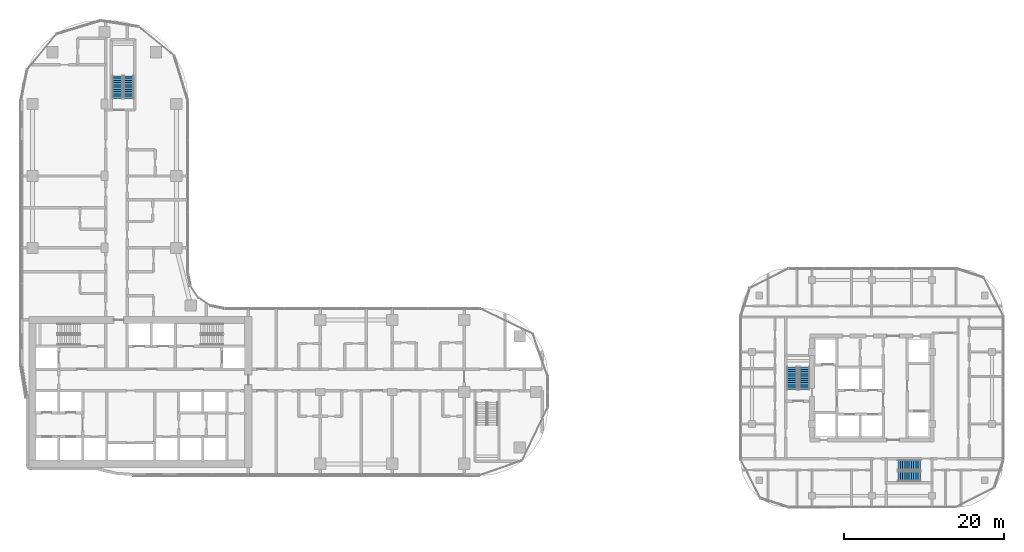
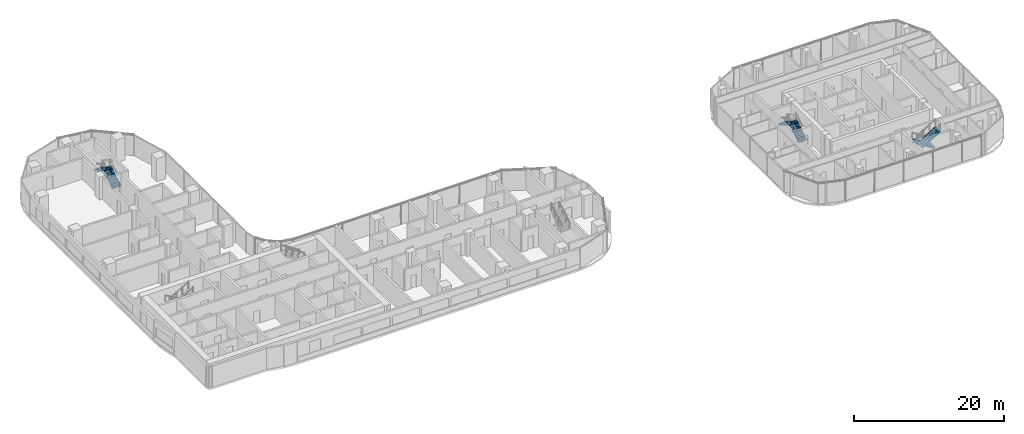
# One storey, part 27 of 33: 6 stair flights, 3 elements without a shape of their own.
"""IFC4 building model written with IfcOpenShell, lengths in metres."""

from ifc_helpers import new_model, si_unit, direction, frame, origin, place, context, subcontext, project, spatial, triangles, source, transform, mapped, material, type_object, element, aggregate, save


model = new_model("IFC4")

# Units and contexts
model_context = context("Model", 3, precision=1e-05, world=origin(), true_north=direction((0.0, 1.0)))
body_context = subcontext(model_context, "Body", "Model", "MODEL_VIEW")
ifc_project = project(units=[si_unit("LENGTHUNIT", "METRE"), si_unit("AREAUNIT", "SQUARE_METRE"), si_unit("VOLUMEUNIT", "CUBIC_METRE"), si_unit("PLANEANGLEUNIT", "RADIAN"), si_unit("MASSUNIT", "GRAM", prefix="KILO")], contexts=[model_context])

# Site, building, storey
site_placement = place(None, origin())
site = spatial("IfcSite", under=ifc_project, at=site_placement, CompositionType="ELEMENT")
building_placement = place(site_placement, origin())
building = spatial("IfcBuilding", under=site, at=building_placement, Name="Ogive Portal Towers", CompositionType="ELEMENT")
storey_placement = place(building_placement, frame((0.0, 0.0, 77.89990234375)))
storey = spatial("IfcBuildingStorey", under=building, at=storey_placement, Name="L18", CompositionType="ELEMENT", Elevation=77.89990234375)

# Stair, stair flights
ifc_material = material(Name="Concrete C40/50", Category="concrete")
stair_type = type_object("IfcStairType", Name="INT-STAIR", PredefinedType="HALF_TURN_STAIR", material=ifc_material)
stair_1_placement = place(storey_placement, origin())
stair_1 = element("IfcStair", 1, at=stair_1_placement, inside=storey, type_object=stair_type, Name="L18 Exit Stair ST-A3", PredefinedType="HALF_TURN_STAIR")
stair_flight_type = type_object("IfcStairFlightType", Name="INT-FLIGHT", PredefinedType="STRAIGHT", material=ifc_material)
shared_shape = source(origin(), body_context, "Body", "Tessellation", [
    triangles([(0.0, -0.650146484375, 0.0), (0.0, -0.376220703125, 0.0), (0.0, -0.192626953125, 0.0), (0.0, -0.081298828125, 0.0), (0.0, -0.024169921875, 0.0), (0.0, -0.003173828125, 0.0), (0.0, 0.0, 0.0), (0.0, 0.0029296875, 0.0), (0.0, 0.02392578125, 0.0), (0.0, 0.0810546875, 0.0), (0.0, 0.1923828125, 0.0), (0.0, 0.3759765625, 0.0), (0.0, 0.64990234375, 0.0), (0.0, -0.650146484375, 0.168212890625), (0.0, -0.376220703125, 0.168212890625), (0.0, -0.192626953125, 0.168212890625), (0.0, -0.081298828125, 0.168212890625), (0.0, -0.024169921875, 0.168212890625), (0.0, -0.003173828125, 0.168212890625), (0.0, 0.0, 0.168212890625), (0.0, 0.0029296875, 0.168212890625), (0.0, 0.02392578125, 0.168212890625), (0.0, 0.0810546875, 0.168212890625), (0.0, 0.1923828125, 0.168212890625), (0.0, 0.3759765625, 0.168212890625), (0.0, 0.64990234375, 0.168212890625), (0.280029296875, -0.650146484375, 0.168212890625), (0.280029296875, -0.376220703125, 0.168212890625), (0.280029296875, -0.192626953125, 0.168212890625), (0.280029296875, -0.081298828125, 0.168212890625), (0.280029296875, -0.024169921875, 0.168212890625), (0.280029296875, -0.003173828125, 0.168212890625), (0.280029296875, 0.0, 0.168212890625), (0.280029296875, 0.0029296875, 0.168212890625), (0.280029296875, 0.02392578125, 0.168212890625), (0.280029296875, 0.0810546875, 0.168212890625), (0.280029296875, 0.1923828125, 0.168212890625), (0.280029296875, 0.3759765625, 0.168212890625), (0.280029296875, 0.64990234375, 0.168212890625), (0.280029296875, -0.650146484375, 0.33642578125), (0.280029296875, -0.376220703125, 0.33642578125), (0.280029296875, -0.192626953125, 0.33642578125), (0.280029296875, -0.081298828125, 0.33642578125), (0.280029296875, -0.024169921875, 0.33642578125), (0.280029296875, -0.003173828125, 0.33642578125), (0.280029296875, 0.0, 0.33642578125), (0.280029296875, 0.0029296875, 0.33642578125), (0.280029296875, 0.02392578125, 0.33642578125), (0.280029296875, 0.0810546875, 0.33642578125), (0.280029296875, 0.1923828125, 0.33642578125), (0.280029296875, 0.3759765625, 0.33642578125), (0.280029296875, 0.64990234375, 0.33642578125), (0.56005859375, -0.650146484375, 0.33642578125), (0.56005859375, -0.376220703125, 0.33642578125), (0.56005859375, -0.192626953125, 0.33642578125), (0.56005859375, -0.081298828125, 0.33642578125), (0.56005859375, -0.024169921875, 0.33642578125), (0.56005859375, -0.003173828125, 0.33642578125), (0.56005859375, 0.0, 0.33642578125), (0.56005859375, 0.0029296875, 0.33642578125), (0.56005859375, 0.02392578125, 0.33642578125), (0.56005859375, 0.0810546875, 0.33642578125), (0.56005859375, 0.1923828125, 0.33642578125), (0.56005859375, 0.3759765625, 0.33642578125), (0.56005859375, 0.64990234375, 0.33642578125), (0.56005859375, -0.650146484375, 0.504638671875), (0.56005859375, -0.376220703125, 0.504638671875), (0.56005859375, -0.192626953125, 0.504638671875), (0.56005859375, -0.081298828125, 0.504638671875), (0.56005859375, -0.024169921875, 0.504638671875), (0.56005859375, -0.003173828125, 0.504638671875), (0.56005859375, 0.0, 0.504638671875), (0.56005859375, 0.0029296875, 0.504638671875), (0.56005859375, 0.02392578125, 0.504638671875), (0.56005859375, 0.0810546875, 0.504638671875), (0.56005859375, 0.1923828125, 0.504638671875), (0.56005859375, 0.3759765625, 0.504638671875), (0.56005859375, 0.64990234375, 0.504638671875), (0.840087890625, -0.650146484375, 0.504638671875), (0.840087890625, -0.376220703125, 0.504638671875), (0.840087890625, -0.192626953125, 0.504638671875), (0.840087890625, -0.081298828125, 0.504638671875), (0.840087890625, -0.024169921875, 0.504638671875), (0.840087890625, -0.003173828125, 0.504638671875), (0.840087890625, 0.0, 0.504638671875), (0.840087890625, 0.0029296875, 0.504638671875), (0.840087890625, 0.02392578125, 0.504638671875), (0.840087890625, 0.0810546875, 0.504638671875), (0.840087890625, 0.1923828125, 0.504638671875), (0.840087890625, 0.3759765625, 0.504638671875), (0.840087890625, 0.64990234375, 0.504638671875), (0.840087890625, -0.650146484375, 0.672607421875), (0.840087890625, -0.376220703125, 0.672607421875), (0.840087890625, -0.192626953125, 0.672607421875), (0.840087890625, -0.081298828125, 0.672607421875), (0.840087890625, -0.024169921875, 0.672607421875), (0.840087890625, -0.003173828125, 0.672607421875), (0.840087890625, 0.0, 0.672607421875), (0.840087890625, 0.0029296875, 0.672607421875), (0.840087890625, 0.02392578125, 0.672607421875), (0.840087890625, 0.0810546875, 0.672607421875), (0.840087890625, 0.1923828125, 0.672607421875), (0.840087890625, 0.3759765625, 0.672607421875), (0.840087890625, 0.64990234375, 0.672607421875), (1.1201171875, -0.650146484375, 0.672607421875), (1.1201171875, -0.376220703125, 0.672607421875), (1.1201171875, -0.192626953125, 0.672607421875), (1.1201171875, -0.081298828125, 0.672607421875), (1.1201171875, -0.024169921875, 0.672607421875), (1.1201171875, -0.003173828125, 0.672607421875), (1.1201171875, 0.0, 0.672607421875), (1.1201171875, 0.0029296875, 0.672607421875), (1.1201171875, 0.02392578125, 0.672607421875), (1.1201171875, 0.0810546875, 0.672607421875), (1.1201171875, 0.1923828125, 0.672607421875), (1.1201171875, 0.3759765625, 0.672607421875), (1.1201171875, 0.64990234375, 0.672607421875), (1.1201171875, -0.650146484375, 0.8408203125), (1.1201171875, -0.376220703125, 0.8408203125), (1.1201171875, -0.192626953125, 0.8408203125), (1.1201171875, -0.081298828125, 0.8408203125), (1.1201171875, -0.024169921875, 0.8408203125), (1.1201171875, -0.003173828125, 0.8408203125), (1.1201171875, 0.0, 0.8408203125), (1.1201171875, 0.0029296875, 0.8408203125), (1.1201171875, 0.02392578125, 0.8408203125), (1.1201171875, 0.0810546875, 0.8408203125), (1.1201171875, 0.1923828125, 0.8408203125), (1.1201171875, 0.3759765625, 0.8408203125), (1.1201171875, 0.64990234375, 0.8408203125), (1.39990234375, -0.650146484375, 0.8408203125), (1.39990234375, -0.376220703125, 0.8408203125), (1.39990234375, -0.192626953125, 0.8408203125), (1.39990234375, -0.081298828125, 0.8408203125), (1.39990234375, -0.024169921875, 0.8408203125), (1.39990234375, -0.003173828125, 0.8408203125), (1.39990234375, 0.0, 0.8408203125), (1.39990234375, 0.0029296875, 0.8408203125), (1.39990234375, 0.02392578125, 0.8408203125), (1.39990234375, 0.0810546875, 0.8408203125), (1.39990234375, 0.1923828125, 0.8408203125), (1.39990234375, 0.3759765625, 0.8408203125), (1.39990234375, 0.64990234375, 0.8408203125), (1.39990234375, -0.650146484375, 1.009033203125), (1.39990234375, -0.376220703125, 1.009033203125), (1.39990234375, -0.192626953125, 1.009033203125), (1.39990234375, -0.081298828125, 1.009033203125), (1.39990234375, -0.024169921875, 1.009033203125), (1.39990234375, -0.003173828125, 1.009033203125), (1.39990234375, 0.0, 1.009033203125), (1.39990234375, 0.0029296875, 1.009033203125), (1.39990234375, 0.02392578125, 1.009033203125), (1.39990234375, 0.0810546875, 1.009033203125), (1.39990234375, 0.1923828125, 1.009033203125), (1.39990234375, 0.3759765625, 1.009033203125), (1.39990234375, 0.64990234375, 1.009033203125), (1.679931640625, -0.650146484375, 1.009033203125), (1.679931640625, -0.376220703125, 1.009033203125), (1.679931640625, -0.192626953125, 1.009033203125), (1.679931640625, -0.081298828125, 1.009033203125), (1.679931640625, -0.024169921875, 1.009033203125), (1.679931640625, -0.003173828125, 1.009033203125), (1.679931640625, 0.0, 1.009033203125), (1.679931640625, 0.0029296875, 1.009033203125), (1.679931640625, 0.02392578125, 1.009033203125), (1.679931640625, 0.0810546875, 1.009033203125), (1.679931640625, 0.1923828125, 1.009033203125), (1.679931640625, 0.3759765625, 1.009033203125), (1.679931640625, 0.64990234375, 1.009033203125), (1.679931640625, -0.650146484375, 1.17724609375), (1.679931640625, -0.376220703125, 1.17724609375), (1.679931640625, -0.192626953125, 1.17724609375), (1.679931640625, -0.081298828125, 1.17724609375), (1.679931640625, -0.024169921875, 1.17724609375), (1.679931640625, -0.003173828125, 1.17724609375), (1.679931640625, 0.0, 1.17724609375), (1.679931640625, 0.0029296875, 1.17724609375), (1.679931640625, 0.02392578125, 1.17724609375), (1.679931640625, 0.0810546875, 1.17724609375), (1.679931640625, 0.1923828125, 1.17724609375), (1.679931640625, 0.3759765625, 1.17724609375), (1.679931640625, 0.64990234375, 1.17724609375), (1.9599609375, -0.650146484375, 1.17724609375), (1.9599609375, -0.376220703125, 1.17724609375), (1.9599609375, -0.192626953125, 1.17724609375), (1.9599609375, -0.081298828125, 1.17724609375), (1.9599609375, -0.024169921875, 1.17724609375), (1.9599609375, -0.003173828125, 1.17724609375), (1.9599609375, 0.0, 1.17724609375), (1.9599609375, 0.0029296875, 1.17724609375), (1.9599609375, 0.02392578125, 1.17724609375), (1.9599609375, 0.0810546875, 1.17724609375), (1.9599609375, 0.1923828125, 1.17724609375), (1.9599609375, 0.3759765625, 1.17724609375), (1.9599609375, 0.64990234375, 1.17724609375), (1.9599609375, -0.650146484375, 1.345458984375), (1.9599609375, -0.376220703125, 1.345458984375), (1.9599609375, -0.192626953125, 1.345458984375), (1.9599609375, -0.081298828125, 1.345458984375), (1.9599609375, -0.024169921875, 1.345458984375), (1.9599609375, -0.003173828125, 1.345458984375), (1.9599609375, 0.0, 1.345458984375), (1.9599609375, 0.0029296875, 1.345458984375), (1.9599609375, 0.02392578125, 1.345458984375), (1.9599609375, 0.0810546875, 1.345458984375), (1.9599609375, 0.1923828125, 1.345458984375), (1.9599609375, 0.3759765625, 1.345458984375), (1.9599609375, 0.64990234375, 1.345458984375), (2.239990234375, -0.650146484375, 1.345458984375), (2.239990234375, -0.376220703125, 1.345458984375), (2.239990234375, -0.192626953125, 1.345458984375), (2.239990234375, -0.081298828125, 1.345458984375), (2.239990234375, -0.024169921875, 1.345458984375), (2.239990234375, -0.003173828125, 1.345458984375), (2.239990234375, 0.0, 1.345458984375), (2.239990234375, 0.0029296875, 1.345458984375), (2.239990234375, 0.02392578125, 1.345458984375), (2.239990234375, 0.0810546875, 1.345458984375), (2.239990234375, 0.1923828125, 1.345458984375), (2.239990234375, 0.3759765625, 1.345458984375), (2.239990234375, 0.64990234375, 1.345458984375), (2.239990234375, -0.650146484375, 1.513671875), (2.239990234375, -0.376220703125, 1.513671875), (2.239990234375, -0.192626953125, 1.513671875), (2.239990234375, -0.081298828125, 1.513671875), (2.239990234375, -0.024169921875, 1.513671875), (2.239990234375, -0.003173828125, 1.513671875), (2.239990234375, 0.0, 1.513671875), (2.239990234375, 0.0029296875, 1.513671875), (2.239990234375, 0.02392578125, 1.513671875), (2.239990234375, 0.0810546875, 1.513671875), (2.239990234375, 0.1923828125, 1.513671875), (2.239990234375, 0.3759765625, 1.513671875), (2.239990234375, 0.64990234375, 1.513671875), (2.52001953125, -0.650146484375, 1.513671875), (2.52001953125, -0.376220703125, 1.513671875), (2.52001953125, -0.192626953125, 1.513671875), (2.52001953125, -0.081298828125, 1.513671875), (2.52001953125, -0.024169921875, 1.513671875), (2.52001953125, -0.003173828125, 1.513671875), (2.52001953125, 0.0, 1.513671875), (2.52001953125, 0.0029296875, 1.513671875), (2.52001953125, 0.02392578125, 1.513671875), (2.52001953125, 0.0810546875, 1.513671875), (2.52001953125, 0.1923828125, 1.513671875), (2.52001953125, 0.3759765625, 1.513671875), (2.52001953125, 0.64990234375, 1.513671875), (2.52001953125, -0.650146484375, 1.681884765625), (2.52001953125, -0.376220703125, 1.681884765625), (2.52001953125, -0.192626953125, 1.681884765625), (2.52001953125, -0.081298828125, 1.681884765625), (2.52001953125, -0.024169921875, 1.681884765625), (2.52001953125, -0.003173828125, 1.681884765625), (2.52001953125, 0.0, 1.681884765625), (2.52001953125, 0.0029296875, 1.681884765625), (2.52001953125, 0.02392578125, 1.681884765625), (2.52001953125, 0.0810546875, 1.681884765625), (2.52001953125, 0.1923828125, 1.681884765625), (2.52001953125, 0.3759765625, 1.681884765625), (2.52001953125, 0.64990234375, 1.681884765625), (2.800048828125, -0.650146484375, 1.681884765625), (2.800048828125, -0.376220703125, 1.681884765625), (2.800048828125, -0.192626953125, 1.681884765625), (2.800048828125, -0.081298828125, 1.681884765625), (2.800048828125, -0.024169921875, 1.681884765625), (2.800048828125, -0.003173828125, 1.681884765625), (2.800048828125, 0.0, 1.681884765625), (2.800048828125, 0.0029296875, 1.681884765625), (2.800048828125, 0.02392578125, 1.681884765625), (2.800048828125, 0.0810546875, 1.681884765625), (2.800048828125, 0.1923828125, 1.681884765625), (2.800048828125, 0.3759765625, 1.681884765625), (2.800048828125, 0.64990234375, 1.681884765625), (2.800048828125, -0.650146484375, 1.5068359375), (2.800048828125, -0.376220703125, 1.5068359375), (2.800048828125, -0.192626953125, 1.5068359375), (2.800048828125, -0.081298828125, 1.5068359375), (2.800048828125, -0.024169921875, 1.5068359375), (2.800048828125, -0.003173828125, 1.5068359375), (2.800048828125, 0.0, 1.5068359375), (2.800048828125, 0.0029296875, 1.5068359375), (2.800048828125, 0.02392578125, 1.5068359375), (2.800048828125, 0.0810546875, 1.5068359375), (2.800048828125, 0.1923828125, 1.5068359375), (2.800048828125, 0.3759765625, 1.5068359375), (2.800048828125, 0.64990234375, 1.5068359375), (0.291015625, -0.650146484375, 0.0), (0.291015625, -0.376220703125, 0.0), (0.291015625, -0.192626953125, 0.0), (0.291015625, -0.081298828125, 0.0), (0.291015625, -0.024169921875, 0.0), (0.291015625, -0.003173828125, 0.0), (0.291015625, 0.0, 0.0), (0.291015625, 0.0029296875, 0.0), (0.291015625, 0.02392578125, 0.0), (0.291015625, 0.0810546875, 0.0), (0.291015625, 0.1923828125, 0.0), (0.291015625, 0.3759765625, 0.0), (0.291015625, 0.64990234375, 0.0)], [[1, 14, 15], [1, 15, 2], [2, 15, 16], [2, 16, 3], [3, 16, 17], [3, 17, 4], [4, 17, 18], [4, 18, 5], [5, 18, 19], [5, 19, 6], [6, 19, 20], [6, 20, 7], [7, 20, 21], [7, 21, 8], [8, 21, 22], [8, 22, 9], [9, 22, 23], [9, 23, 10], [10, 23, 24], [10, 24, 11], [11, 24, 25], [11, 25, 12], [12, 25, 26], [12, 26, 13], [14, 27, 28], [14, 28, 15], [15, 28, 29], [15, 29, 16], [16, 29, 30], [16, 30, 17], [17, 30, 31], [17, 31, 18], [18, 31, 32], [18, 32, 19], [19, 32, 33], [19, 33, 20], [20, 33, 34], [20, 34, 21], [21, 34, 35], [21, 35, 22], [22, 35, 36], [22, 36, 23], [23, 36, 37], [23, 37, 24], [24, 37, 38], [24, 38, 25], [25, 38, 39], [25, 39, 26], [27, 40, 41], [27, 41, 28], [28, 41, 42], [28, 42, 29], [29, 42, 43], [29, 43, 30], [30, 43, 44], [30, 44, 31], [31, 44, 45], [31, 45, 32], [32, 45, 46], [32, 46, 33], [33, 46, 47], [33, 47, 34], [34, 47, 48], [34, 48, 35], [35, 48, 49], [35, 49, 36], [36, 49, 50], [36, 50, 37], [37, 50, 51], [37, 51, 38], [38, 51, 52], [38, 52, 39], [40, 53, 54], [40, 54, 41], [41, 54, 55], [41, 55, 42], [42, 55, 56], [42, 56, 43], [43, 56, 57], [43, 57, 44], [44, 57, 58], [44, 58, 45], [45, 58, 59], [45, 59, 46], [46, 59, 60], [46, 60, 47], [47, 60, 61], [47, 61, 48], [48, 61, 62], [48, 62, 49], [49, 62, 63], [49, 63, 50], [50, 63, 64], [50, 64, 51], [51, 64, 65], [51, 65, 52], [53, 66, 67], [53, 67, 54], [54, 67, 68], [54, 68, 55], [55, 68, 69], [55, 69, 56], [56, 69, 70], [56, 70, 57], [57, 70, 71], [57, 71, 58], [58, 71, 72], [58, 72, 59], [59, 72, 73], [59, 73, 60], [60, 73, 74], [60, 74, 61], [61, 74, 75], [61, 75, 62], [62, 75, 76], [62, 76, 63], [63, 76, 77], [63, 77, 64], [64, 77, 78], [64, 78, 65], [66, 79, 80], [66, 80, 67], [67, 80, 81], [67, 81, 68], [68, 81, 82], [68, 82, 69], [69, 82, 83], [69, 83, 70], [70, 83, 84], [70, 84, 71], [71, 84, 85], [71, 85, 72], [72, 85, 86], [72, 86, 73], [73, 86, 87], [73, 87, 74], [74, 87, 88], [74, 88, 75], [75, 88, 89], [75, 89, 76], [76, 89, 90], [76, 90, 77], [77, 90, 91], [77, 91, 78], [79, 92, 93], [79, 93, 80], [80, 93, 94], [80, 94, 81], [81, 94, 95], [81, 95, 82], [82, 95, 96], [82, 96, 83], [83, 96, 97], [83, 97, 84], [84, 97, 98], [84, 98, 85], [85, 98, 99], [85, 99, 86], [86, 99, 100], [86, 100, 87], [87, 100, 101], [87, 101, 88], [88, 101, 102], [88, 102, 89], [89, 102, 103], [89, 103, 90], [90, 103, 104], [90, 104, 91], [92, 105, 106], [92, 106, 93], [93, 106, 107], [93, 107, 94], [94, 107, 108], [94, 108, 95], [95, 108, 109], [95, 109, 96], [96, 109, 110], [96, 110, 97], [97, 110, 111], [97, 111, 98], [98, 111, 112], [98, 112, 99], [99, 112, 113], [99, 113, 100], [100, 113, 114], [100, 114, 101], [101, 114, 115], [101, 115, 102], [102, 115, 116], [102, 116, 103], [103, 116, 117], [103, 117, 104], [105, 118, 119], [105, 119, 106], [106, 119, 120], [106, 120, 107], [107, 120, 121], [107, 121, 108], [108, 121, 122], [108, 122, 109], [109, 122, 123], [109, 123, 110], [110, 123, 124], [110, 124, 111], [111, 124, 125], [111, 125, 112], [112, 125, 126], [112, 126, 113], [113, 126, 127], [113, 127, 114], [114, 127, 128], [114, 128, 115], [115, 128, 129], [115, 129, 116], [116, 129, 130], [116, 130, 117], [118, 131, 132], [118, 132, 119], [119, 132, 133], [119, 133, 120], [120, 133, 134], [120, 134, 121], [121, 134, 135], [121, 135, 122], [122, 135, 136], [122, 136, 123], [123, 136, 137], [123, 137, 124], [124, 137, 138], [124, 138, 125], [125, 138, 139], [125, 139, 126], [126, 139, 140], [126, 140, 127], [127, 140, 141], [127, 141, 128], [128, 141, 142], [128, 142, 129], [129, 142, 143], [129, 143, 130], [131, 144, 145], [131, 145, 132], [132, 145, 146], [132, 146, 133], [133, 146, 147], [133, 147, 134], [134, 147, 148], [134, 148, 135], [135, 148, 149], [135, 149, 136], [136, 149, 150], [136, 150, 137], [137, 150, 151], [137, 151, 138], [138, 151, 152], [138, 152, 139], [139, 152, 153], [139, 153, 140], [140, 153, 154], [140, 154, 141], [141, 154, 155], [141, 155, 142], [142, 155, 156], [142, 156, 143], [144, 157, 158], [144, 158, 145], [145, 158, 159], [145, 159, 146], [146, 159, 160], [146, 160, 147], [147, 160, 161], [147, 161, 148], [148, 161, 162], [148, 162, 149], [149, 162, 163], [149, 163, 150], [150, 163, 164], [150, 164, 151], [151, 164, 165], [151, 165, 152], [152, 165, 166], [152, 166, 153], [153, 166, 167], [153, 167, 154], [154, 167, 168], [154, 168, 155], [155, 168, 169], [155, 169, 156], [157, 170, 171], [157, 171, 158], [158, 171, 172], [158, 172, 159], [159, 172, 173], [159, 173, 160], [160, 173, 174], [160, 174, 161], [161, 174, 175], [161, 175, 162], [162, 175, 176], [162, 176, 163], [163, 176, 177], [163, 177, 164], [164, 177, 178], [164, 178, 165], [165, 178, 179], [165, 179, 166], [166, 179, 180], [166, 180, 167], [167, 180, 181], [167, 181, 168], [168, 181, 182], [168, 182, 169], [170, 183, 184], [170, 184, 171], [171, 184, 185], [171, 185, 172], [172, 185, 186], [172, 186, 173], [173, 186, 187], [173, 187, 174], [174, 187, 188], [174, 188, 175], [175, 188, 189], [175, 189, 176], [176, 189, 190], [176, 190, 177], [177, 190, 191], [177, 191, 178], [178, 191, 192], [178, 192, 179], [179, 192, 193], [179, 193, 180], [180, 193, 194], [180, 194, 181], [181, 194, 195], [181, 195, 182], [183, 196, 197], [183, 197, 184], [184, 197, 198], [184, 198, 185], [185, 198, 199], [185, 199, 186], [186, 199, 200], [186, 200, 187], [187, 200, 201], [187, 201, 188], [188, 201, 202], [188, 202, 189], [189, 202, 203], [189, 203, 190], [190, 203, 204], [190, 204, 191], [191, 204, 205], [191, 205, 192], [192, 205, 206], [192, 206, 193], [193, 206, 207], [193, 207, 194], [194, 207, 208], [194, 208, 195], [196, 209, 210], [196, 210, 197], [197, 210, 211], [197, 211, 198], [198, 211, 212], [198, 212, 199], [199, 212, 213], [199, 213, 200], [200, 213, 214], [200, 214, 201], [201, 214, 215], [201, 215, 202], [202, 215, 216], [202, 216, 203], [203, 216, 217], [203, 217, 204], [204, 217, 218], [204, 218, 205], [205, 218, 219], [205, 219, 206], [206, 219, 220], [206, 220, 207], [207, 220, 221], [207, 221, 208], [209, 222, 223], [209, 223, 210], [210, 223, 224], [210, 224, 211], [211, 224, 225], [211, 225, 212], [212, 225, 226], [212, 226, 213], [213, 226, 227], [213, 227, 214], [214, 227, 228], [214, 228, 215], [215, 228, 229], [215, 229, 216], [216, 229, 230], [216, 230, 217], [217, 230, 231], [217, 231, 218], [218, 231, 232], [218, 232, 219], [219, 232, 233], [219, 233, 220], [220, 233, 234], [220, 234, 221], [222, 235, 236], [222, 236, 223], [223, 236, 237], [223, 237, 224], [224, 237, 238], [224, 238, 225], [225, 238, 239], [225, 239, 226], [226, 239, 240], [226, 240, 227], [227, 240, 241], [227, 241, 228], [228, 241, 242], [228, 242, 229], [229, 242, 243], [229, 243, 230], [230, 243, 244], [230, 244, 231], [231, 244, 245], [231, 245, 232], [232, 245, 246], [232, 246, 233], [233, 246, 247], [233, 247, 234], [235, 248, 249], [235, 249, 236], [236, 249, 250], [236, 250, 237], [237, 250, 251], [237, 251, 238], [238, 251, 252], [238, 252, 239], [239, 252, 253], [239, 253, 240], [240, 253, 254], [240, 254, 241], [241, 254, 255], [241, 255, 242], [242, 255, 256], [242, 256, 243], [243, 256, 257], [243, 257, 244], [244, 257, 258], [244, 258, 245], [245, 258, 259], [245, 259, 246], [246, 259, 260], [246, 260, 247], [248, 261, 262], [248, 262, 249], [249, 262, 263], [249, 263, 250], [250, 263, 264], [250, 264, 251], [251, 264, 265], [251, 265, 252], [252, 265, 266], [252, 266, 253], [253, 266, 267], [253, 267, 254], [254, 267, 268], [254, 268, 255], [255, 268, 269], [255, 269, 256], [256, 269, 270], [256, 270, 257], [257, 270, 271], [257, 271, 258], [258, 271, 272], [258, 272, 259], [259, 272, 273], [259, 273, 260], [261, 274, 275], [261, 275, 262], [262, 275, 276], [262, 276, 263], [263, 276, 277], [263, 277, 264], [264, 277, 278], [264, 278, 265], [265, 278, 279], [265, 279, 266], [266, 279, 280], [266, 280, 267], [267, 280, 281], [267, 281, 268], [268, 281, 282], [268, 282, 269], [269, 282, 283], [269, 283, 270], [270, 283, 284], [270, 284, 271], [271, 284, 285], [271, 285, 272], [272, 285, 286], [272, 286, 273], [274, 287, 288], [274, 288, 275], [275, 288, 289], [275, 289, 276], [276, 289, 290], [276, 290, 277], [277, 290, 291], [277, 291, 278], [278, 291, 292], [278, 292, 279], [279, 292, 293], [279, 293, 280], [280, 293, 294], [280, 294, 281], [281, 294, 295], [281, 295, 282], [282, 295, 296], [282, 296, 283], [283, 296, 297], [283, 297, 284], [284, 297, 298], [284, 298, 285], [285, 298, 299], [285, 299, 286], [287, 1, 2], [287, 2, 288], [288, 2, 3], [288, 3, 289], [289, 3, 4], [289, 4, 290], [290, 4, 5], [290, 5, 291], [291, 5, 6], [291, 6, 292], [292, 6, 7], [292, 7, 293], [293, 7, 8], [293, 8, 294], [294, 8, 9], [294, 9, 295], [295, 9, 10], [295, 10, 296], [296, 10, 11], [296, 11, 297], [297, 11, 12], [297, 12, 298], [298, 12, 13], [298, 13, 299], [1, 287, 274], [13, 286, 299], [274, 261, 248], [286, 260, 273], [274, 248, 235], [286, 247, 260], [274, 235, 222], [286, 234, 247], [274, 222, 209], [286, 221, 234], [209, 196, 183], [221, 195, 208], [274, 209, 183], [286, 195, 221], [183, 170, 157], [195, 169, 182], [274, 183, 157], [286, 169, 195], [157, 144, 131], [169, 143, 156], [274, 157, 131], [286, 143, 169], [131, 118, 105], [143, 117, 130], [274, 131, 105], [286, 117, 143], [1, 274, 105], [13, 117, 286], [105, 92, 79], [117, 91, 104], [79, 66, 53], [91, 65, 78], [105, 79, 53], [117, 65, 91], [53, 40, 27], [65, 39, 52], [105, 53, 27], [117, 39, 65], [1, 105, 27], [13, 39, 117], [27, 14, 1], [39, 13, 26]], closed=True),
])
stair_flight_1_placement = place(storey_placement, frame((43.550048828125, 67.199951171875, 0.0), z_axis=(0.0, 0.0, 1.0), x_axis=(0.0, 1.0, 0.0)))
stair_flight_1 = element("IfcStairFlight", 2, at=stair_flight_1_placement, type_object=stair_flight_type, Name="ST-A3 flight 1", NumberOfRisers=11, NumberOfTreads=10, PredefinedType="STRAIGHT", RiserHeight=0.168181818, TreadLength=0.28, context=body_context, shape_type="MappedRepresentation", body=[
    mapped(shared_shape, transform((0.0, 0.0, 0.0), scale=1.0)),
])
stair_flight_2_placement = place(storey_placement, frame((42.14990234375, 70.0, 1.85009765625), z_axis=(0.0, 0.0, 1.0), x_axis=(0.0, -1.0, 0.0)))
stair_flight_2 = element("IfcStairFlight", 3, at=stair_flight_2_placement, type_object=stair_flight_type, Name="ST-A3 flight 2", NumberOfRisers=11, NumberOfTreads=10, PredefinedType="STRAIGHT", RiserHeight=0.168181818, TreadLength=0.28, context=body_context, shape_type="MappedRepresentation", body=[
    mapped(shared_shape, transform((0.0, 0.0, 0.0), scale=1.0)),
])
aggregate(stair_1, [stair_flight_1, stair_flight_2])

stair_2_placement = place(storey_placement, origin())
stair_2 = element("IfcStair", 4, at=stair_2_placement, inside=storey, type_object=stair_type, Name="L18 Exit Stair ST-B1", PredefinedType="HALF_TURN_STAIR")
stair_flight_3_placement = place(storey_placement, frame((128.050048828125, 30.800048828125, 0.0), z_axis=(0.0, 0.0, 1.0), x_axis=(0.0, 1.0, 0.0)))
stair_flight_3 = element("IfcStairFlight", 5, at=stair_flight_3_placement, type_object=stair_flight_type, Name="ST-B1 flight 1", NumberOfRisers=11, NumberOfTreads=10, PredefinedType="STRAIGHT", RiserHeight=0.168181818, TreadLength=0.28, context=body_context, shape_type="MappedRepresentation", body=[
    mapped(shared_shape, transform((0.0, 0.0, 0.0), scale=1.0)),
])
stair_flight_4_placement = place(storey_placement, frame((126.5, 33.60009765625, 1.85009765625), z_axis=(0.0, 0.0, 1.0), x_axis=(0.0, -1.0, 0.0)))
stair_flight_4 = element("IfcStairFlight", 6, at=stair_flight_4_placement, type_object=stair_flight_type, Name="ST-B1 flight 2", NumberOfRisers=11, NumberOfTreads=10, PredefinedType="STRAIGHT", RiserHeight=0.168181818, TreadLength=0.28, context=body_context, shape_type="MappedRepresentation", body=[
    mapped(shared_shape, transform((0.0, 0.0, 0.0), scale=1.0)),
])
aggregate(stair_2, [stair_flight_3, stair_flight_4])

stair_3_placement = place(storey_placement, origin())
stair_3 = element("IfcStair", 7, at=stair_3_placement, inside=storey, type_object=stair_type, Name="L18 Exit Stair ST-B2", PredefinedType="HALF_TURN_STAIR")
stair_flight_5_placement = place(storey_placement, frame((142.550048828125, 21.35009765625, 0.0), z_axis=(0.0, 0.0, 1.0), x_axis=(-1.0, 0.0, 0.0)))
stair_flight_5 = element("IfcStairFlight", 8, at=stair_flight_5_placement, type_object=stair_flight_type, Name="ST-B2 flight 1", NumberOfRisers=11, NumberOfTreads=10, PredefinedType="STRAIGHT", RiserHeight=0.168181818, TreadLength=0.28, context=body_context, shape_type="MappedRepresentation", body=[
    mapped(shared_shape, transform((0.0, 0.0, 0.0), scale=1.0)),
])
stair_flight_6_placement = place(storey_placement, frame((139.75, 19.949951171875, 1.85009765625), z_axis=(0.0, 0.0, 1.0), x_axis=(1.0, 0.0, 0.0)))
stair_flight_6 = element("IfcStairFlight", 9, at=stair_flight_6_placement, type_object=stair_flight_type, Name="ST-B2 flight 2", NumberOfRisers=11, NumberOfTreads=10, PredefinedType="STRAIGHT", RiserHeight=0.168181818, TreadLength=0.28, context=body_context, shape_type="MappedRepresentation", body=[
    mapped(shared_shape, transform((0.0, 0.0, 0.0), scale=1.0)),
])
aggregate(stair_3, [stair_flight_5, stair_flight_6])

save(model, "model.ifc")
